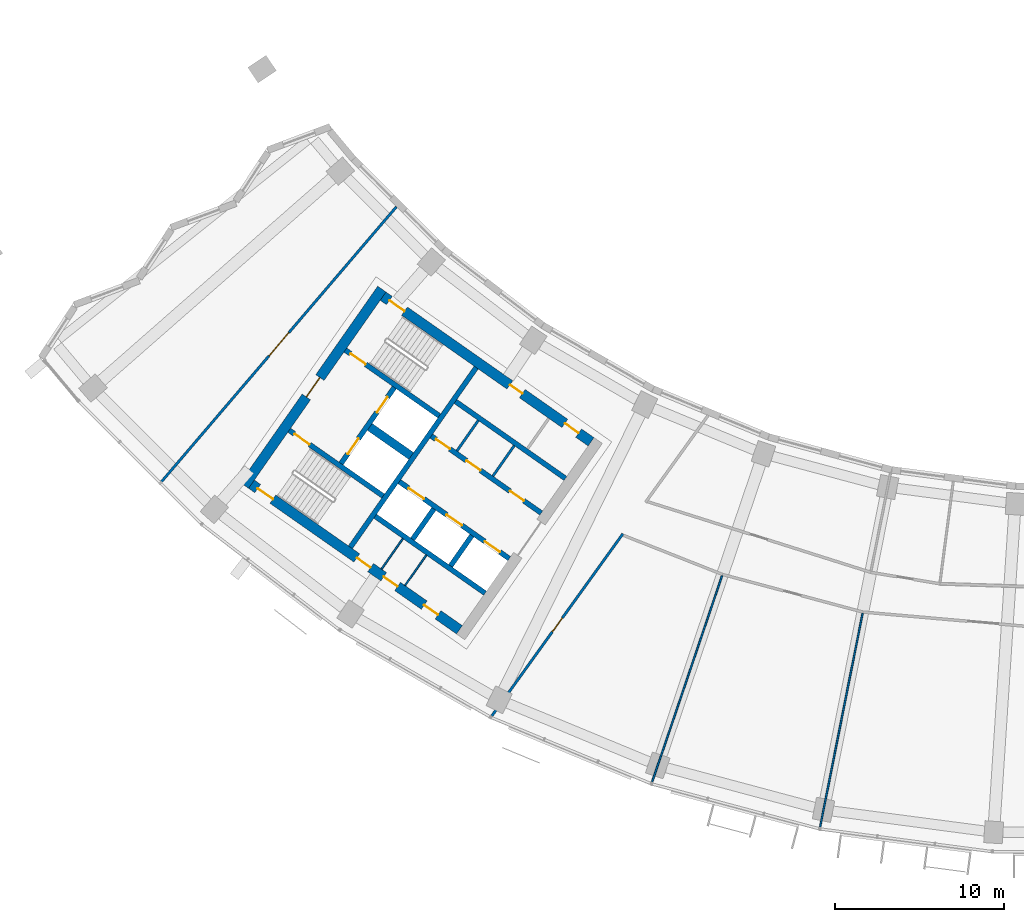
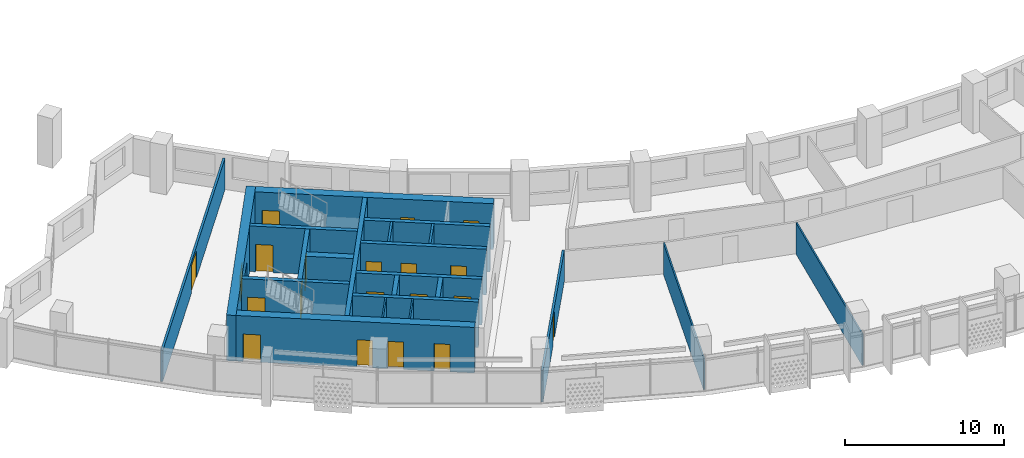
# One storey, part 3 of 27: 22 walls, 20 doors, 20 openings.
"""IFC4 building model written with IfcOpenShell, lengths in metres."""

from ifc_helpers import new_model, si_unit, direction, frame, frame_2d, origin, place, context, subcontext, project, spatial, rectangle, extrude, material, layer, layer_set, type_object, element, fill, save


model = new_model("IFC4")

# Units and contexts
model_context = context("Model", 3, precision=1e-05, world=origin(), true_north=direction((0.0, 1.0)))
body_context = subcontext(model_context, "Body", "Model", "MODEL_VIEW")
ifc_project = project(units=[si_unit("LENGTHUNIT", "METRE"), si_unit("AREAUNIT", "SQUARE_METRE"), si_unit("VOLUMEUNIT", "CUBIC_METRE"), si_unit("PLANEANGLEUNIT", "RADIAN"), si_unit("MASSUNIT", "GRAM", prefix="KILO")], contexts=[model_context])

# Site, building, storey
site_placement = place(None, origin())
site = spatial("IfcSite", under=ifc_project, at=site_placement, CompositionType="ELEMENT")
building_placement = place(site_placement, origin())
building = spatial("IfcBuilding", under=site, at=building_placement, Name="Qamariyya Broadcast Tower", CompositionType="ELEMENT")
storey_placement = place(building_placement, frame((0.0, 0.0, 191.10009765625)))
storey = spatial("IfcBuildingStorey", under=building, at=storey_placement, Name="L45", CompositionType="ELEMENT", Elevation=191.10009765625)

# Wall, opening, door
ifc_material_1 = material(Name="Concrete C60/75", Category="concrete")
ifc_layer_1 = layer(ifc_material_1, 0.60009765625)
ifc_layer_set_1 = layer_set([ifc_layer_1], Name="Core wall 600 mm Concrete C60/75")
wall_type_1 = type_object("IfcWallType", Name="Core wall 600 mm Concrete C60/75", PredefinedType="SHEAR", material=ifc_layer_set_1)
wall_1_placement = place(storey_placement, frame((-49.4833984375, -57.031494140625, 0.0), z_axis=(0.0, 0.0, 1.0), x_axis=(0.573560421458, 0.819163257805, 0.0)))
wall_1 = element("IfcWall", 1, at=wall_1_placement, inside=storey, type_object=wall_type_1, Name="k-W-L45-WH", PredefinedType="SHEAR", context=body_context, shape_type="SweptSolid", body=[
    extrude(rectangle(XDim=14.199951171875, YDim=0.60009765625, at=frame_2d((7.10009765625, 0.0))), origin(), (0.0, 0.0, 1.0), 3.5),
])
opening_1_placement = place(wall_1_placement, frame((6.39990234375, 0.0, 0.0)))
opening_1 = element("IfcOpeningElement", 2, at=opening_1_placement, cuts=wall_1, Name="Opening KD2-W1", PredefinedType="OPENING", context=body_context, shape_type="SweptSolid", body=[
    extrude(rectangle(XDim=1.39990234375, YDim=2.10009765625, at=frame_2d((0.699951171875, 1.050048828125))), frame((0.0, 0.31005859375, 0.0), z_axis=(0.0, -1.0, 0.0), x_axis=(1.0, 0.0, 0.0)), (0.0, 0.0, 1.0), 0.6201171875),
])
ifc_material_2 = material(Name="Steel fire-resisting door leaf", Category="steel")
door_type_1 = type_object("IfcDoorType", Name="Fire-fighting lobby door KD2", OperationType="DOUBLE_DOOR_SINGLE_SWING", PredefinedType="DOOR", material=ifc_material_2)
door_1_placement = place(opening_1_placement, origin())
door_1 = element("IfcDoor", 3, at=door_1_placement, inside=storey, type_object=door_type_1, Name="k-W-L45-WH-D15", OperationType="DOUBLE_DOOR_SINGLE_SWING", OverallHeight=2.10009765625, OverallWidth=1.39990234375, PredefinedType="DOOR", context=body_context, shape_type="SweptSolid", body=[
    extrude(rectangle(XDim=1.39990234375, YDim=2.10009765625, at=frame_2d((0.699951171875, 1.050048828125))), frame((0.0, 0.02490234375, 0.0), z_axis=(0.0, -1.0, 0.0), x_axis=(1.0, 0.0, 0.0)), (0.0, 0.0, 1.0), 0.050048828125),
])
fill(opening_1, door_1)

# Wall, openings, doors
wall_2_placement = place(storey_placement, frame((-28.940673828125, -54.447021484375, 0.0), z_axis=(0.0, 0.0, 1.0), x_axis=(-0.819153391756, 0.573574511963, 0.0)))
wall_2 = element("IfcWall", 4, at=wall_2_placement, inside=storey, type_object=wall_type_1, Name="k-W-L45-WI", PredefinedType="SHEAR", context=body_context, shape_type="SweptSolid", body=[
    extrude(rectangle(XDim=15.04541015625, YDim=0.60009765625, at=frame_2d((7.522705078125, 0.0))), origin(), (0.0, 0.0, 1.0), 3.5),
])
opening_2_placement = place(wall_2_placement, frame((0.89990234375, 0.0, 0.0)))
opening_2 = element("IfcOpeningElement", 5, at=opening_2_placement, cuts=wall_2, Name="Opening KD7-W1", PredefinedType="OPENING", context=body_context, shape_type="SweptSolid", body=[
    extrude(rectangle(XDim=1.0, YDim=2.10009765625, at=frame_2d((0.5, 1.050048828125))), frame((0.0, 0.31005859375, 0.0), z_axis=(0.0, -1.0, 0.0), x_axis=(1.0, 0.0, 0.0)), (0.0, 0.0, 1.0), 0.6201171875),
])
opening_3_placement = place(wall_2_placement, frame((4.97509765625, 0.0, 0.0)))
opening_3 = element("IfcOpeningElement", 6, at=opening_3_placement, cuts=wall_2, Name="Opening KD5-W1", PredefinedType="OPENING", context=body_context, shape_type="SweptSolid", body=[
    extrude(rectangle(XDim=0.89990234375, YDim=2.10009765625, at=frame_2d((0.449951171875, 1.050048828125))), frame((0.0, 0.31005859375, 0.0), z_axis=(0.0, -1.0, 0.0), x_axis=(1.0, 0.0, 0.0)), (0.0, 0.0, 1.0), 0.6201171875),
])
opening_4_placement = place(wall_2_placement, frame((13.495361328125, 0.0, 0.0)))
opening_4 = element("IfcOpeningElement", 7, at=opening_4_placement, cuts=wall_2, Name="Opening KD1-W1", PredefinedType="OPENING", context=body_context, shape_type="SweptSolid", body=[
    extrude(rectangle(XDim=1.10009765625, YDim=2.10009765625, at=frame_2d((0.550048828125, 1.050048828125))), frame((0.0, 0.31005859375, 0.0), z_axis=(0.0, -1.0, 0.0), x_axis=(1.0, 0.0, 0.0)), (0.0, 0.0, 1.0), 0.6201171875),
])
door_type_2 = type_object("IfcDoorType", Name="Accessible toilet door KD7", OperationType="SINGLE_SWING_LEFT", PredefinedType="DOOR", material=ifc_material_2)
door_2_placement = place(opening_2_placement, origin())
door_2 = element("IfcDoor", 8, at=door_2_placement, inside=storey, type_object=door_type_2, Name="k-W-L45-WI-D8", OperationType="SINGLE_SWING_LEFT", OverallHeight=2.10009765625, OverallWidth=1.0, PredefinedType="DOOR", context=body_context, shape_type="SweptSolid", body=[
    extrude(rectangle(XDim=1.0, YDim=2.10009765625, at=frame_2d((0.5, 1.050048828125))), frame((0.0, 0.02490234375, 0.0), z_axis=(0.0, -1.0, 0.0), x_axis=(1.0, 0.0, 0.0)), (0.0, 0.0, 1.0), 0.050048828125),
])
fill(opening_2, door_2)
door_type_3 = type_object("IfcDoorType", Name="Stair door KD1", OperationType="SINGLE_SWING_LEFT", PredefinedType="DOOR", material=ifc_material_2)
door_3_placement = place(opening_4_placement, origin())
door_3 = element("IfcDoor", 9, at=door_3_placement, inside=storey, type_object=door_type_3, Name="k-W-L45-WI-D16", OperationType="SINGLE_SWING_RIGHT", OverallHeight=2.10009765625, OverallWidth=1.10009765625, PredefinedType="DOOR", context=body_context, shape_type="SweptSolid", body=[
    extrude(rectangle(XDim=1.10009765625, YDim=2.10009765625, at=frame_2d((0.550048828125, 1.050048828125))), frame((0.0, 0.02490234375, 0.0), z_axis=(0.0, -1.0, 0.0), x_axis=(1.0, 0.0, 0.0)), (0.0, 0.0, 1.0), 0.050048828125),
])
fill(opening_4, door_3)
door_type_4 = type_object("IfcDoorType", Name="Toilet door KD5", OperationType="SINGLE_SWING_LEFT", PredefinedType="DOOR", material=ifc_material_2)
door_4_placement = place(opening_3_placement, origin())
door_4 = element("IfcDoor", 10, at=door_4_placement, inside=storey, type_object=door_type_4, Name="k-W-L45-WI-D9", OperationType="SINGLE_SWING_RIGHT", OverallHeight=2.10009765625, OverallWidth=0.89990234375, PredefinedType="DOOR", context=body_context, shape_type="SweptSolid", body=[
    extrude(rectangle(XDim=0.89990234375, YDim=2.10009765625, at=frame_2d((0.449951171875, 1.050048828125))), frame((0.0, 0.02490234375, 0.0), z_axis=(0.0, -1.0, 0.0), x_axis=(1.0, 0.0, 0.0)), (0.0, 0.0, 1.0), 0.050048828125),
])
fill(opening_3, door_4)

wall_3_placement = place(storey_placement, frame((-36.7412109375, -65.58740234375, 0.0), z_axis=(0.0, 0.0, 1.0), x_axis=(-0.819153391756, 0.573574511963, 0.0)))
wall_3 = element("IfcWall", 11, at=wall_3_placement, inside=storey, type_object=wall_type_1, Name="k-W-L45-WO", PredefinedType="SHEAR", context=body_context, shape_type="SweptSolid", body=[
    extrude(rectangle(XDim=15.04541015625, YDim=0.60009765625, at=frame_2d((7.522705078125, 0.0))), origin(), (0.0, 0.0, 1.0), 3.5),
])
opening_5_placement = place(wall_3_placement, frame((1.550048828125, 0.0, 0.0)))
opening_5 = element("IfcOpeningElement", 12, at=opening_5_placement, cuts=wall_3, Name="Opening KD4-W2", PredefinedType="OPENING", context=body_context, shape_type="SweptSolid", body=[
    extrude(rectangle(XDim=1.0, YDim=2.10009765625, at=frame_2d((0.5, 1.050048828125))), frame((0.0, 0.31005859375, 0.0), z_axis=(0.0, -1.0, 0.0), x_axis=(1.0, 0.0, 0.0)), (0.0, 0.0, 1.0), 0.6201171875),
])
opening_6_placement = place(wall_3_placement, frame((4.47509765625, 0.0, 0.0)))
opening_6 = element("IfcOpeningElement", 13, at=opening_6_placement, cuts=wall_3, Name="Opening KD4-W3", PredefinedType="OPENING", context=body_context, shape_type="SweptSolid", body=[
    extrude(rectangle(XDim=1.0, YDim=2.10009765625, at=frame_2d((0.5, 1.050048828125))), frame((0.0, 0.31005859375, 0.0), z_axis=(0.0, -1.0, 0.0), x_axis=(1.0, 0.0, 0.0)), (0.0, 0.0, 1.0), 0.6201171875),
])
opening_7_placement = place(wall_3_placement, frame((6.425048828125, 0.0, 0.0)))
opening_7 = element("IfcOpeningElement", 14, at=opening_7_placement, cuts=wall_3, Name="Opening KD4-W4", PredefinedType="OPENING", context=body_context, shape_type="SweptSolid", body=[
    extrude(rectangle(XDim=1.0, YDim=2.10009765625, at=frame_2d((0.5, 1.050048828125))), frame((0.0, 0.31005859375, 0.0), z_axis=(0.0, -1.0, 0.0), x_axis=(1.0, 0.0, 0.0)), (0.0, 0.0, 1.0), 0.6201171875),
])
opening_8_placement = place(wall_3_placement, frame((13.495361328125, 0.0, 0.0)))
opening_8 = element("IfcOpeningElement", 15, at=opening_8_placement, cuts=wall_3, Name="Opening KD1-W3", PredefinedType="OPENING", context=body_context, shape_type="SweptSolid", body=[
    extrude(rectangle(XDim=1.10009765625, YDim=2.10009765625, at=frame_2d((0.550048828125, 1.050048828125))), frame((0.0, 0.31005859375, 0.0), z_axis=(0.0, -1.0, 0.0), x_axis=(1.0, 0.0, 0.0)), (0.0, 0.0, 1.0), 0.6201171875),
])
door_type_5 = type_object("IfcDoorType", Name="Riser and plant door KD4", OperationType="SINGLE_SWING_LEFT", PredefinedType="DOOR", material=ifc_material_2)
door_5_placement = place(opening_5_placement, origin())
door_5 = element("IfcDoor", 16, at=door_5_placement, inside=storey, type_object=door_type_5, Name="k-W-L45-WO-D10", OperationType="SINGLE_SWING_LEFT", OverallHeight=2.10009765625, OverallWidth=1.0, PredefinedType="DOOR", context=body_context, shape_type="SweptSolid", body=[
    extrude(rectangle(XDim=1.0, YDim=2.10009765625, at=frame_2d((0.5, 1.050048828125))), frame((0.0, 0.02490234375, 0.0), z_axis=(0.0, -1.0, 0.0), x_axis=(1.0, 0.0, 0.0)), (0.0, 0.0, 1.0), 0.050048828125),
])
fill(opening_5, door_5)
door_6_placement = place(opening_6_placement, origin())
door_6 = element("IfcDoor", 17, at=door_6_placement, inside=storey, type_object=door_type_5, Name="k-W-L45-WO-D11", OperationType="SINGLE_SWING_RIGHT", OverallHeight=2.10009765625, OverallWidth=1.0, PredefinedType="DOOR", context=body_context, shape_type="SweptSolid", body=[
    extrude(rectangle(XDim=1.0, YDim=2.10009765625, at=frame_2d((0.5, 1.050048828125))), frame((0.0, 0.02490234375, 0.0), z_axis=(0.0, -1.0, 0.0), x_axis=(1.0, 0.0, 0.0)), (0.0, 0.0, 1.0), 0.050048828125),
])
fill(opening_6, door_6)
door_7_placement = place(opening_7_placement, origin())
door_7 = element("IfcDoor", 18, at=door_7_placement, inside=storey, type_object=door_type_5, Name="k-W-L45-WO-D12", OperationType="SINGLE_SWING_LEFT", OverallHeight=2.10009765625, OverallWidth=1.0, PredefinedType="DOOR", context=body_context, shape_type="SweptSolid", body=[
    extrude(rectangle(XDim=1.0, YDim=2.10009765625, at=frame_2d((0.5, 1.050048828125))), frame((0.0, 0.02490234375, 0.0), z_axis=(0.0, -1.0, 0.0), x_axis=(1.0, 0.0, 0.0)), (0.0, 0.0, 1.0), 0.050048828125),
])
fill(opening_7, door_7)
door_8_placement = place(opening_8_placement, origin())
door_8 = element("IfcDoor", 19, at=door_8_placement, inside=storey, type_object=door_type_3, Name="k-W-L45-WO-D18", OperationType="SINGLE_SWING_LEFT", OverallHeight=2.10009765625, OverallWidth=1.10009765625, PredefinedType="DOOR", context=body_context, shape_type="SweptSolid", body=[
    extrude(rectangle(XDim=1.10009765625, YDim=2.10009765625, at=frame_2d((0.550048828125, 1.050048828125))), frame((0.0, 0.02490234375, 0.0), z_axis=(0.0, -1.0, 0.0), x_axis=(1.0, 0.0, 0.0)), (0.0, 0.0, 1.0), 0.050048828125),
])
fill(opening_8, door_8)

# Wall, opening, door
ifc_material_3 = material(Name="Gypsum board partition")
ifc_layer_2 = layer(ifc_material_3, 0.14990234375)
ifc_layer_set_2 = layer_set([ifc_layer_2], Name="Corridor partition 150 EI 60")
wall_type_2 = type_object("IfcWallType", Name="Corridor partition 150 EI 60", PredefinedType="PARTITIONING", material=ifc_layer_set_2)
wall_4_placement = place(storey_placement, frame((-54.39404296875, -56.8076171875, 0.0), z_axis=(0.0, 0.0, 1.0), x_axis=(0.649633284071, 0.760247720303, 0.0)))
wall_4 = element("IfcWall", 20, at=wall_4_placement, inside=storey, type_object=wall_type_2, Name="Partition L45-001", PredefinedType="PARTITIONING", context=body_context, shape_type="SweptSolid", body=[
    extrude(rectangle(XDim=21.420166015625, YDim=0.14990234375, at=frame_2d((10.7099609375, 0.0))), origin(), (0.0, 0.0, 1.0), 2.39990234375),
])
opening_9_placement = place(wall_4_placement, frame((9.81005859375, 0.0, 0.0)))
opening_9 = element("IfcOpeningElement", 21, at=opening_9_placement, cuts=wall_4, Name="Opening L45-D13", PredefinedType="OPENING", context=body_context, shape_type="SweptSolid", body=[
    extrude(rectangle(XDim=1.800048828125, YDim=2.10009765625, at=frame_2d((0.89990234375, 1.050048828125))), frame((0.0, 0.0849609375, 0.0), z_axis=(0.0, -1.0, 0.0), x_axis=(1.0, 0.0, 0.0)), (0.0, 0.0, 1.0), 0.169921875),
])
ifc_material_4 = material(Name="Timber fire door leaf", Category="wood")
door_type_6 = type_object("IfcDoorType", Name="Double fire door 1800 x 2100 FD60", OperationType="NOTDEFINED", PredefinedType="DOOR", material=ifc_material_4)
door_9_placement = place(opening_9_placement, origin())
door_9 = element("IfcDoor", 22, at=door_9_placement, inside=storey, type_object=door_type_6, Name="Door L45-D13", OperationType="DOUBLE_DOOR_SINGLE_SWING", OverallHeight=2.10009765625, OverallWidth=1.800048828125, PredefinedType="DOOR", context=body_context, shape_type="SweptSolid", body=[
    extrude(rectangle(XDim=1.800048828125, YDim=2.10009765625, at=frame_2d((0.89990234375, 1.050048828125))), frame((0.0, 0.02490234375, 0.0), z_axis=(0.0, -1.0, 0.0), x_axis=(1.0, 0.0, 0.0)), (0.0, 0.0, 1.0), 0.050048828125),
])
fill(opening_9, door_9)

wall_5_placement = place(storey_placement, frame((-27.056884765625, -59.899169921875, 0.0), z_axis=(0.0, 0.0, 1.0), x_axis=(-0.584166374063, -0.81163393683, 0.0)))
wall_5 = element("IfcWall", 23, at=wall_5_placement, inside=storey, type_object=wall_type_2, Name="Partition L45-002", PredefinedType="PARTITIONING", context=body_context, shape_type="SweptSolid", body=[
    extrude(rectangle(XDim=13.296142578125, YDim=0.14990234375, at=frame_2d((6.64794921875, 0.0))), origin(), (0.0, 0.0, 1.0), 2.39990234375),
])
opening_10_placement = place(wall_5_placement, frame((6.14794921875, 0.0, 0.0)))
opening_10 = element("IfcOpeningElement", 24, at=opening_10_placement, cuts=wall_5, Name="Opening L45-D01", PredefinedType="OPENING", context=body_context, shape_type="SweptSolid", body=[
    extrude(rectangle(XDim=1.0, YDim=2.10009765625, at=frame_2d((0.5, 1.050048828125))), frame((0.0, 0.0849609375, 0.0), z_axis=(0.0, -1.0, 0.0), x_axis=(1.0, 0.0, 0.0)), (0.0, 0.0, 1.0), 0.169921875),
])
door_type_7 = type_object("IfcDoorType", Name="Fire door 1000 x 2100 FD60", OperationType="NOTDEFINED", PredefinedType="DOOR", material=ifc_material_4)
door_10_placement = place(opening_10_placement, origin())
door_10 = element("IfcDoor", 25, at=door_10_placement, inside=storey, type_object=door_type_7, Name="Door L45-D01", OperationType="SINGLE_SWING_RIGHT", OverallHeight=2.10009765625, OverallWidth=1.0, PredefinedType="DOOR", context=body_context, shape_type="SweptSolid", body=[
    extrude(rectangle(XDim=1.0, YDim=2.10009765625, at=frame_2d((0.5, 1.050048828125))), frame((0.0, 0.02490234375, 0.0), z_axis=(0.0, -1.0, 0.0), x_axis=(1.0, 0.0, 0.0)), (0.0, 0.0, 1.0), 0.050048828125),
])
fill(opening_10, door_10)

# Walls
ifc_layer_3 = layer(ifc_material_1, 0.5)
ifc_layer_set_3 = layer_set([ifc_layer_3], Name="Fire-fighting lobby divider wall 500 mm Concrete C60/75")
wall_type_3 = type_object("IfcWallType", Name="Fire-fighting lobby divider wall 500 mm Concrete C60/75", PredefinedType="SOLIDWALL", material=ifc_layer_set_3)
wall_6_placement = place(storey_placement, frame((-39.59912109375, -55.28515625, 0.0), z_axis=(0.0, 0.0, 1.0), x_axis=(-0.819136323161, 0.573598887793, 0.0)))
element("IfcWall", 26, at=wall_6_placement, inside=storey, type_object=wall_type_3, Name="k-W-L45-FD", PredefinedType="SOLIDWALL", context=body_context, shape_type="SweptSolid", body=[
    extrude(rectangle(XDim=2.999755859375, YDim=0.5, at=frame_2d((1.5, 0.0))), origin(), (0.0, 0.0, 1.0), 3.5),
])
ifc_material_5 = material(Name="Gypsum board partition on steel studs", Category="steel")
ifc_layer_4 = layer(ifc_material_5, 0.14990234375)
ifc_layer_set_4 = layer_set([ifc_layer_4], Name="Gypsum board partition 150 mm")
wall_type_4 = type_object("IfcWallType", Name="Gypsum board partition 150 mm", PredefinedType="PARTITIONING", material=ifc_layer_set_4)
for number, where, z_axis, x_axis, name in (
    (27, (-34.757568359375, -56.477783203125, 0.0), (0.0, 0.0, 1.0), (0.573633636671, 0.819111989218, 0.0), "k-W-L45-NC360"),
    (28, (-36.88720703125, -54.986572265625, 0.0), (0.0, 0.0, 1.0), (0.573507030513, 0.819200638399, 0.0), "k-W-L45-NC620"),
):
    element("IfcWall", number, at=place(storey_placement, frame(where, z_axis=z_axis, x_axis=x_axis)), inside=storey, type_object=wall_type_4, Name=name, PredefinedType="PARTITIONING", context=body_context, shape_type="SweptSolid", body=[
        extrude(rectangle(XDim=2.199951171875, YDim=0.14990234375, at=frame_2d((1.10009765625, 0.0))), origin(), (0.0, 0.0, 1.0), 3.5),
    ])
ifc_layer_5 = layer(ifc_material_1, 0.300048828125)
ifc_layer_set_5 = layer_set([ifc_layer_5], Name="Lift shaft wall 300 mm Concrete C60/75")
wall_type_5 = type_object("IfcWallType", Name="Lift shaft wall 300 mm Concrete C60/75", PredefinedType="SOLIDWALL", material=ifc_layer_set_5)
wall_7_placement = place(storey_placement, frame((-43.204345703125, -60.69580078125, 0.0), z_axis=(0.0, 0.0, 1.0), x_axis=(0.573571992966, 0.819155155563, 0.0)))
element("IfcWall", 29, at=wall_7_placement, inside=storey, type_object=wall_type_5, Name="k-W-L45-WL", PredefinedType="SOLIDWALL", context=body_context, shape_type="SweptSolid", body=[
    extrude(rectangle(XDim=13.000244140625, YDim=0.300048828125, at=frame_2d((6.5, 0.0))), origin(), (0.0, 0.0, 1.0), 3.5),
])

# Wall, openings, doors
wall_8_placement = place(storey_placement, frame((-31.89453125, -58.66552734375, 0.0), z_axis=(0.0, 0.0, 1.0), x_axis=(-0.819166993208, 0.573555086491, 0.0)))
wall_8 = element("IfcWall", 30, at=wall_8_placement, inside=storey, type_object=wall_type_5, Name="k-W-L45-NF0", PredefinedType="SOLIDWALL", context=body_context, shape_type="SweptSolid", body=[
    extrude(rectangle(XDim=7.9501953125, YDim=0.300048828125, at=frame_2d((3.97509765625, 0.0))), origin(), (0.0, 0.0, 1.0), 3.5),
])
opening_11_placement = place(wall_8_placement, frame((1.262451171875, 0.0, 0.0)))
opening_11 = element("IfcOpeningElement", 31, at=opening_11_placement, cuts=wall_8, Name="Opening KD4-W1", PredefinedType="OPENING", context=body_context, shape_type="SweptSolid", body=[
    extrude(rectangle(XDim=1.0, YDim=2.10009765625, at=frame_2d((0.5, 1.050048828125))), frame((0.0, 0.159912109375, 0.0), z_axis=(0.0, -1.0, 0.0), x_axis=(1.0, 0.0, 0.0)), (0.0, 0.0, 1.0), 0.320068359375),
])
opening_12_placement = place(wall_8_placement, frame((4.39990234375, 0.0, 0.0)))
opening_12 = element("IfcOpeningElement", 32, at=opening_12_placement, cuts=wall_8, Name="Opening KD6-W1", PredefinedType="OPENING", context=body_context, shape_type="SweptSolid", body=[
    extrude(rectangle(XDim=1.0, YDim=2.10009765625, at=frame_2d((0.5, 1.050048828125))), frame((0.0, 0.159912109375, 0.0), z_axis=(0.0, -1.0, 0.0), x_axis=(1.0, 0.0, 0.0)), (0.0, 0.0, 1.0), 0.320068359375),
])
opening_13_placement = place(wall_8_placement, frame((6.612548828125, 0.0, 0.0)))
opening_13 = element("IfcOpeningElement", 33, at=opening_13_placement, cuts=wall_8, Name="Opening KD6-W2", PredefinedType="OPENING", context=body_context, shape_type="SweptSolid", body=[
    extrude(rectangle(XDim=1.0, YDim=2.10009765625, at=frame_2d((0.5, 1.050048828125))), frame((0.0, 0.159912109375, 0.0), z_axis=(0.0, -1.0, 0.0), x_axis=(1.0, 0.0, 0.0)), (0.0, 0.0, 1.0), 0.320068359375),
])
door_type_8 = type_object("IfcDoorType", Name="Core room door KD6", OperationType="SINGLE_SWING_LEFT", PredefinedType="DOOR", material=ifc_material_2)
door_11_placement = place(opening_12_placement, origin())
door_11 = element("IfcDoor", 34, at=door_11_placement, inside=storey, type_object=door_type_8, Name="k-W-L45-NF0-D3", OperationType="SINGLE_SWING_RIGHT", OverallHeight=2.10009765625, OverallWidth=1.0, PredefinedType="DOOR", context=body_context, shape_type="SweptSolid", body=[
    extrude(rectangle(XDim=1.0, YDim=2.10009765625, at=frame_2d((0.5, 1.050048828125))), frame((0.0, 0.02490234375, 0.0), z_axis=(0.0, -1.0, 0.0), x_axis=(1.0, 0.0, 0.0)), (0.0, 0.0, 1.0), 0.050048828125),
])
fill(opening_12, door_11)
door_12_placement = place(opening_13_placement, origin())
door_12 = element("IfcDoor", 35, at=door_12_placement, inside=storey, type_object=door_type_8, Name="k-W-L45-NF0-D4", OperationType="SINGLE_SWING_LEFT", OverallHeight=2.10009765625, OverallWidth=1.0, PredefinedType="DOOR", context=body_context, shape_type="SweptSolid", body=[
    extrude(rectangle(XDim=1.0, YDim=2.10009765625, at=frame_2d((0.5, 1.050048828125))), frame((0.0, 0.02490234375, 0.0), z_axis=(0.0, -1.0, 0.0), x_axis=(1.0, 0.0, 0.0)), (0.0, 0.0, 1.0), 0.050048828125),
])
fill(opening_13, door_12)
door_13_placement = place(opening_11_placement, origin())
door_13 = element("IfcDoor", 36, at=door_13_placement, inside=storey, type_object=door_type_5, Name="k-W-L45-NF0-D2", OperationType="SINGLE_SWING_LEFT", OverallHeight=2.10009765625, OverallWidth=1.0, PredefinedType="DOOR", context=body_context, shape_type="SweptSolid", body=[
    extrude(rectangle(XDim=1.0, YDim=2.10009765625, at=frame_2d((0.5, 1.050048828125))), frame((0.0, 0.02490234375, 0.0), z_axis=(0.0, -1.0, 0.0), x_axis=(1.0, 0.0, 0.0)), (0.0, 0.0, 1.0), 0.050048828125),
])
fill(opening_11, door_13)

# Wall
wall_9_placement = place(storey_placement, frame((-30.460693359375, -56.61767578125, 0.0), z_axis=(0.0, 0.0, 1.0), x_axis=(-0.819142461705, 0.573590121456, 0.0)))
element("IfcWall", 37, at=wall_9_placement, inside=storey, type_object=wall_type_5, Name="k-W-L45-NB0", PredefinedType="SOLIDWALL", context=body_context, shape_type="SweptSolid", body=[
    extrude(rectangle(XDim=7.949951171875, YDim=0.300048828125, at=frame_2d((3.97509765625, 0.0))), origin(), (0.0, 0.0, 1.0), 3.5),
])

# Wall, openings, doors
wall_10_placement = place(storey_placement, frame((-33.787353515625, -61.368896484375, 0.0), z_axis=(0.0, 0.0, 1.0), x_axis=(-0.819152564888, 0.573575692858, 0.0)))
wall_10 = element("IfcWall", 38, at=wall_10_placement, inside=storey, type_object=wall_type_5, Name="k-W-L45-SF0", PredefinedType="SOLIDWALL", context=body_context, shape_type="SweptSolid", body=[
    extrude(rectangle(XDim=7.9501953125, YDim=0.300048828125, at=frame_2d((3.97509765625, 0.0))), origin(), (0.0, 0.0, 1.0), 3.5),
])
opening_14_placement = place(wall_10_placement, frame((0.675048828125, 0.0, 0.0)))
opening_14 = element("IfcOpeningElement", 39, at=opening_14_placement, cuts=wall_10, Name="Opening LD", PredefinedType="OPENING", context=body_context, shape_type="SweptSolid", body=[
    extrude(rectangle(XDim=1.10009765625, YDim=2.10009765625, at=frame_2d((0.550048828125, 1.050048828125))), frame((0.0, 0.159912109375, 0.0), z_axis=(0.0, -1.0, 0.0), x_axis=(1.0, 0.0, 0.0)), (0.0, 0.0, 1.0), 0.320068359375),
])
opening_15_placement = place(wall_10_placement, frame((3.425048828125, 0.0, 0.0)))
opening_15 = element("IfcOpeningElement", 40, at=opening_15_placement, cuts=wall_10, Name="Opening LD", PredefinedType="OPENING", context=body_context, shape_type="SweptSolid", body=[
    extrude(rectangle(XDim=1.10009765625, YDim=2.10009765625, at=frame_2d((0.550048828125, 1.050048828125))), frame((0.0, 0.159912109375, 0.0), z_axis=(0.0, -1.0, 0.0), x_axis=(1.0, 0.0, 0.0)), (0.0, 0.0, 1.0), 0.320068359375),
])
opening_16_placement = place(wall_10_placement, frame((6.175048828125, 0.0, 0.0)))
opening_16 = element("IfcOpeningElement", 41, at=opening_16_placement, cuts=wall_10, Name="Opening LD", PredefinedType="OPENING", context=body_context, shape_type="SweptSolid", body=[
    extrude(rectangle(XDim=1.10009765625, YDim=2.10009765625, at=frame_2d((0.550048828125, 1.050048828125))), frame((0.0, 0.159912109375, 0.0), z_axis=(0.0, -1.0, 0.0), x_axis=(1.0, 0.0, 0.0)), (0.0, 0.0, 1.0), 0.320068359375),
])
door_type_9 = type_object("IfcDoorType", Name="Lift landing door LD", OperationType="DOUBLE_DOOR_SLIDING", PredefinedType="DOOR", material=ifc_material_2)
door_14_placement = place(opening_14_placement, origin())
door_14 = element("IfcDoor", 42, at=door_14_placement, inside=storey, type_object=door_type_9, Name="k-W-L45-SF0-D5", OperationType="DOUBLE_DOOR_SLIDING", OverallHeight=2.10009765625, OverallWidth=1.10009765625, PredefinedType="DOOR", context=body_context, shape_type="SweptSolid", body=[
    extrude(rectangle(XDim=1.10009765625, YDim=2.10009765625, at=frame_2d((0.550048828125, 1.050048828125))), frame((0.0, 0.02490234375, 0.0), z_axis=(0.0, -1.0, 0.0), x_axis=(1.0, 0.0, 0.0)), (0.0, 0.0, 1.0), 0.050048828125),
])
fill(opening_14, door_14)
door_15_placement = place(opening_15_placement, origin())
door_15 = element("IfcDoor", 43, at=door_15_placement, inside=storey, type_object=door_type_9, Name="k-W-L45-SF0-D6", OperationType="DOUBLE_DOOR_SLIDING", OverallHeight=2.10009765625, OverallWidth=1.10009765625, PredefinedType="DOOR", context=body_context, shape_type="SweptSolid", body=[
    extrude(rectangle(XDim=1.10009765625, YDim=2.10009765625, at=frame_2d((0.550048828125, 1.050048828125))), frame((0.0, 0.02490234375, 0.0), z_axis=(0.0, -1.0, 0.0), x_axis=(1.0, 0.0, 0.0)), (0.0, 0.0, 1.0), 0.050048828125),
])
fill(opening_15, door_15)
door_16_placement = place(opening_16_placement, origin())
door_16 = element("IfcDoor", 44, at=door_16_placement, inside=storey, type_object=door_type_9, Name="k-W-L45-SF0-D7", OperationType="DOUBLE_DOOR_SLIDING", OverallHeight=2.10009765625, OverallWidth=1.10009765625, PredefinedType="DOOR", context=body_context, shape_type="SweptSolid", body=[
    extrude(rectangle(XDim=1.10009765625, YDim=2.10009765625, at=frame_2d((0.550048828125, 1.050048828125))), frame((0.0, 0.02490234375, 0.0), z_axis=(0.0, -1.0, 0.0), x_axis=(1.0, 0.0, 0.0)), (0.0, 0.0, 1.0), 0.050048828125),
])
fill(opening_16, door_16)

# Walls
wall_11_placement = place(storey_placement, frame((-35.22119140625, -63.41650390625, 0.0), z_axis=(0.0, 0.0, 1.0), x_axis=(-0.819166993208, 0.573555086491, 0.0)))
element("IfcWall", 45, at=wall_11_placement, inside=storey, type_object=wall_type_5, Name="k-W-L45-SB0", PredefinedType="SOLIDWALL", context=body_context, shape_type="SweptSolid", body=[
    extrude(rectangle(XDim=7.9501953125, YDim=0.300048828125, at=frame_2d((3.97509765625, 0.0))), origin(), (0.0, 0.0, 1.0), 3.5),
])
wall_12_placement = place(storey_placement, frame((-36.003173828125, -60.000244140625, 0.0), z_axis=(0.0, 0.0, 1.0), x_axis=(-0.573581496053, -0.819148501424, 0.0)))
element("IfcWall", 46, at=wall_12_placement, inside=storey, type_object=wall_type_5, Name="k-W-L45-SD0", PredefinedType="SOLIDWALL", context=body_context, shape_type="SweptSolid", body=[
    extrude(rectangle(XDim=2.2001953125, YDim=0.300048828125, at=frame_2d((1.10009765625, 0.0))), origin(), (0.0, 0.0, 1.0), 3.5),
])
wall_13_placement = place(storey_placement, frame((-38.255859375, -58.423095703125, 0.0), z_axis=(0.0, 0.0, 1.0), x_axis=(-0.573633636671, -0.819111989218, 0.0)))
element("IfcWall", 47, at=wall_13_placement, inside=storey, type_object=wall_type_5, Name="k-W-L45-SD1", PredefinedType="SOLIDWALL", context=body_context, shape_type="SweptSolid", body=[
    extrude(rectangle(XDim=2.199951171875, YDim=0.300048828125, at=frame_2d((1.10009765625, 0.0))), origin(), (0.0, 0.0, 1.0), 3.5),
])

# Wall, opening, door
wall_14_placement = place(storey_placement, frame((-37.935546875, -52.90966796875, 0.0), z_axis=(0.0, 0.0, 1.0), x_axis=(-0.819147518138, 0.57358290031, 0.0)))
wall_14 = element("IfcWall", 48, at=wall_14_placement, inside=storey, type_object=wall_type_5, Name="k-W-L45-NW", PredefinedType="SOLIDWALL", context=body_context, shape_type="SweptSolid", body=[
    extrude(rectangle(XDim=6.79541015625, YDim=0.300048828125, at=frame_2d((3.397705078125, 0.0))), origin(), (0.0, 0.0, 1.0), 3.5),
])
opening_17_placement = place(wall_14_placement, frame((5.3203125, 0.0, 0.0)))
opening_17 = element("IfcOpeningElement", 49, at=opening_17_placement, cuts=wall_14, Name="Opening KD1-W2", PredefinedType="OPENING", context=body_context, shape_type="SweptSolid", body=[
    extrude(rectangle(XDim=1.10009765625, YDim=2.10009765625, at=frame_2d((0.550048828125, 1.050048828125))), frame((0.0, 0.159912109375, 0.0), z_axis=(0.0, -1.0, 0.0), x_axis=(1.0, 0.0, 0.0)), (0.0, 0.0, 1.0), 0.320068359375),
])
door_17_placement = place(opening_17_placement, origin())
door_17 = element("IfcDoor", 50, at=door_17_placement, inside=storey, type_object=door_type_3, Name="k-W-L45-NW-D17", OperationType="SINGLE_SWING_RIGHT", OverallHeight=2.10009765625, OverallWidth=1.10009765625, PredefinedType="DOOR", context=body_context, shape_type="SweptSolid", body=[
    extrude(rectangle(XDim=1.10009765625, YDim=2.10009765625, at=frame_2d((0.550048828125, 1.050048828125))), frame((0.0, 0.02490234375, 0.0), z_axis=(0.0, -1.0, 0.0), x_axis=(1.0, 0.0, 0.0)), (0.0, 0.0, 1.0), 0.050048828125),
])
fill(opening_17, door_17)

wall_15_placement = place(storey_placement, frame((-41.262451171875, -57.66064453125, 0.0), z_axis=(0.0, 0.0, 1.0), x_axis=(-0.819164398642, 0.573558792102, 0.0)))
wall_15 = element("IfcWall", 51, at=wall_15_placement, inside=storey, type_object=wall_type_5, Name="k-W-L45-SW", PredefinedType="SOLIDWALL", context=body_context, shape_type="SweptSolid", body=[
    extrude(rectangle(XDim=6.795166015625, YDim=0.300048828125, at=frame_2d((3.3974609375, 0.0))), origin(), (0.0, 0.0, 1.0), 3.5),
])
opening_18_placement = place(wall_15_placement, frame((5.3203125, 0.0, 0.0)))
opening_18 = element("IfcOpeningElement", 52, at=opening_18_placement, cuts=wall_15, Name="Opening KD1-W4", PredefinedType="OPENING", context=body_context, shape_type="SweptSolid", body=[
    extrude(rectangle(XDim=1.10009765625, YDim=2.10009765625, at=frame_2d((0.550048828125, 1.050048828125))), frame((0.0, 0.159912109375, 0.0), z_axis=(0.0, -1.0, 0.0), x_axis=(1.0, 0.0, 0.0)), (0.0, 0.0, 1.0), 0.320068359375),
])
door_18_placement = place(opening_18_placement, origin())
door_18 = element("IfcDoor", 53, at=door_18_placement, inside=storey, type_object=door_type_3, Name="k-W-L45-SW-D19", OperationType="SINGLE_SWING_RIGHT", OverallHeight=2.10009765625, OverallWidth=1.10009765625, PredefinedType="DOOR", context=body_context, shape_type="SweptSolid", body=[
    extrude(rectangle(XDim=1.10009765625, YDim=2.10009765625, at=frame_2d((0.550048828125, 1.050048828125))), frame((0.0, 0.02490234375, 0.0), z_axis=(0.0, -1.0, 0.0), x_axis=(1.0, 0.0, 0.0)), (0.0, 0.0, 1.0), 0.050048828125),
])
fill(opening_18, door_18)

# Wall, openings, doors
wall_16_placement = place(storey_placement, frame((-43.756591796875, -55.731201171875, 0.0), z_axis=(0.0, 0.0, 1.0), x_axis=(0.573536818435, 0.819179783625, 0.0)))
wall_16 = element("IfcWall", 54, at=wall_16_placement, inside=storey, type_object=wall_type_5, Name="k-W-L45-FF", PredefinedType="SOLIDWALL", context=body_context, shape_type="SweptSolid", body=[
    extrude(rectangle(XDim=5.500244140625, YDim=0.300048828125, at=frame_2d((2.75, 0.0))), origin(), (0.0, 0.0, 1.0), 3.5),
])
opening_19_placement = place(wall_16_placement, frame((0.699951171875, 0.0, 0.0)))
opening_19 = element("IfcOpeningElement", 55, at=opening_19_placement, cuts=wall_16, Name="Opening LD", PredefinedType="OPENING", context=body_context, shape_type="SweptSolid", body=[
    extrude(rectangle(XDim=1.10009765625, YDim=2.10009765625, at=frame_2d((0.550048828125, 1.050048828125))), frame((0.0, 0.159912109375, 0.0), z_axis=(0.0, -1.0, 0.0), x_axis=(1.0, 0.0, 0.0)), (0.0, 0.0, 1.0), 0.320068359375),
])
opening_20_placement = place(wall_16_placement, frame((3.699951171875, 0.0, 0.0)))
opening_20 = element("IfcOpeningElement", 56, at=opening_20_placement, cuts=wall_16, Name="Opening LD", PredefinedType="OPENING", context=body_context, shape_type="SweptSolid", body=[
    extrude(rectangle(XDim=1.10009765625, YDim=2.10009765625, at=frame_2d((0.550048828125, 1.050048828125))), frame((0.0, 0.159912109375, 0.0), z_axis=(0.0, -1.0, 0.0), x_axis=(1.0, 0.0, 0.0)), (0.0, 0.0, 1.0), 0.320068359375),
])
door_19_placement = place(opening_19_placement, origin())
door_19 = element("IfcDoor", 57, at=door_19_placement, inside=storey, type_object=door_type_9, Name="k-W-L45-FF-D13", OperationType="DOUBLE_DOOR_SLIDING", OverallHeight=2.10009765625, OverallWidth=1.10009765625, PredefinedType="DOOR", context=body_context, shape_type="SweptSolid", body=[
    extrude(rectangle(XDim=1.10009765625, YDim=2.10009765625, at=frame_2d((0.550048828125, 1.050048828125))), frame((0.0, 0.02490234375, 0.0), z_axis=(0.0, -1.0, 0.0), x_axis=(1.0, 0.0, 0.0)), (0.0, 0.0, 1.0), 0.050048828125),
])
fill(opening_19, door_19)
door_20_placement = place(opening_20_placement, origin())
door_20 = element("IfcDoor", 58, at=door_20_placement, inside=storey, type_object=door_type_9, Name="k-W-L45-FF-D14", OperationType="DOUBLE_DOOR_SLIDING", OverallHeight=2.10009765625, OverallWidth=1.10009765625, PredefinedType="DOOR", context=body_context, shape_type="SweptSolid", body=[
    extrude(rectangle(XDim=1.10009765625, YDim=2.10009765625, at=frame_2d((0.550048828125, 1.050048828125))), frame((0.0, 0.02490234375, 0.0), z_axis=(0.0, -1.0, 0.0), x_axis=(1.0, 0.0, 0.0)), (0.0, 0.0, 1.0), 0.050048828125),
])
fill(opening_20, door_20)

# Walls
ifc_layer_6 = layer(ifc_material_3, 0.10009765625)
ifc_layer_set_6 = layer_set([ifc_layer_6], Name="Partition 100")
wall_type_6 = type_object("IfcWallType", Name="Partition 100", PredefinedType="PARTITIONING", material=ifc_layer_set_6)
for number, where, z_axis, x_axis, name in (
    (59, (-25.329345703125, -74.6181640625, 0.0), (0.0, 0.0, 1.0), (0.321430642641, 0.946933124339, 0.0), "Partition L45-005"),
    (60, (-15.373046875, -77.285888671875, 0.0), (0.0, 0.0, 1.0), (0.195084402894, 0.980786457771, 0.0), "Partition L45-008"),
):
    element("IfcWall", number, at=place(storey_placement, frame(where, z_axis=z_axis, x_axis=x_axis)), inside=storey, type_object=wall_type_6, Name=name, PredefinedType="PARTITIONING", context=body_context, shape_type="SweptSolid", body=[
        extrude(rectangle(XDim=12.925048828125, YDim=0.10009765625, at=frame_2d((6.46240234375, 0.0))), origin(), (0.0, 0.0, 1.0), 2.39990234375),
    ])
ifc_material_6 = material(Name="Fire-rated gypsum shaft liner on steel studs", Category="steel")
ifc_layer_7 = layer(ifc_material_6, 0.10009765625)
ifc_layer_set_7 = layer_set([ifc_layer_7], Name="Riser wall 100 mm")
wall_type_7 = type_object("IfcWallType", Name="Riser wall 100 mm", PredefinedType="PLUMBINGWALL", material=ifc_layer_set_7)
for number, where, z_axis, x_axis, name in (
    (61, (-38.706787109375, -61.1591796875, 0.0), (0.0, 0.0, 1.0), (-0.573633636671, -0.819111989218, 0.0), "k-W-L45-SP415"),
    (62, (-40.099365234375, -60.18408203125, 0.0), (0.0, 0.0, 1.0), (-0.573633636671, -0.819111989218, 0.0), "k-W-L45-SP585"),
):
    element("IfcWall", number, at=place(storey_placement, frame(where, z_axis=z_axis, x_axis=x_axis)), inside=storey, type_object=wall_type_7, Name=name, PredefinedType="PLUMBINGWALL", context=body_context, shape_type="SweptSolid", body=[
        extrude(rectangle(XDim=2.199951171875, YDim=0.10009765625, at=frame_2d((1.10009765625, 0.0))), origin(), (0.0, 0.0, 1.0), 3.5),
    ])

save(model, "model.ifc")
